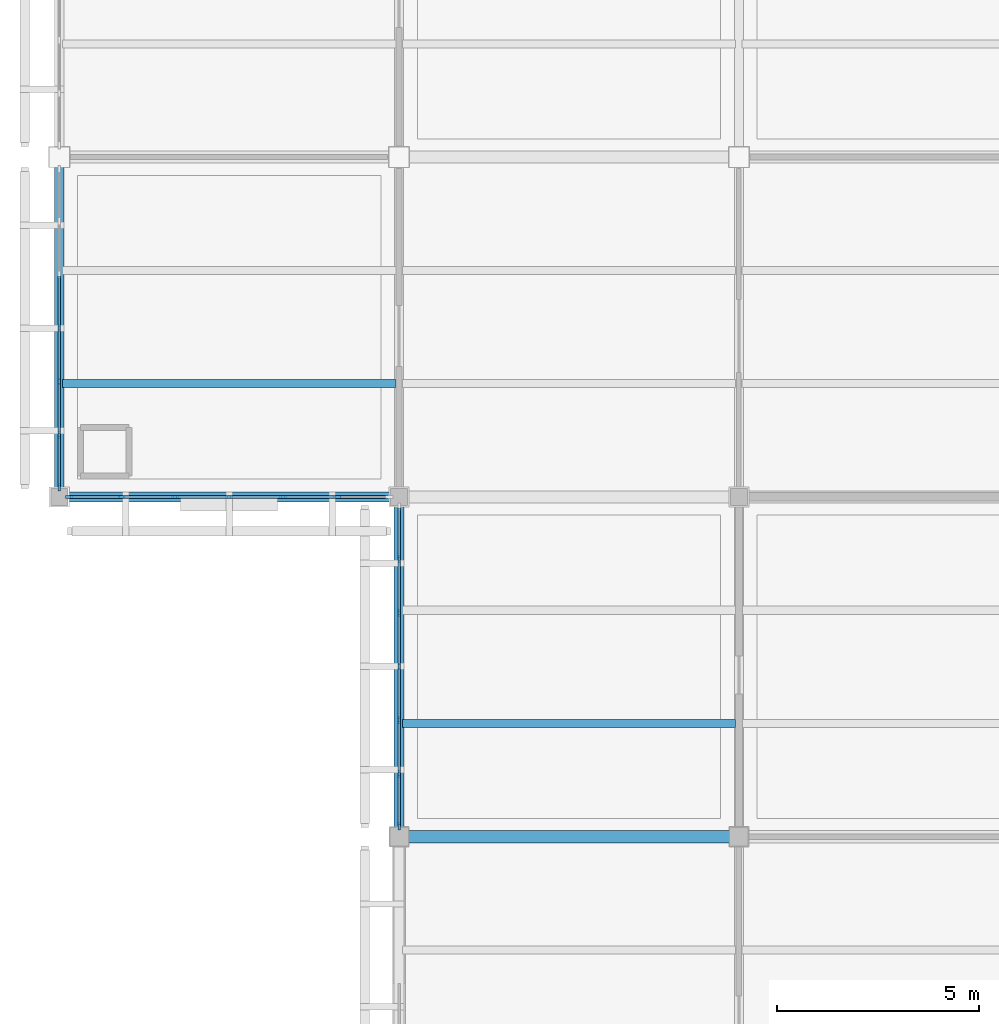
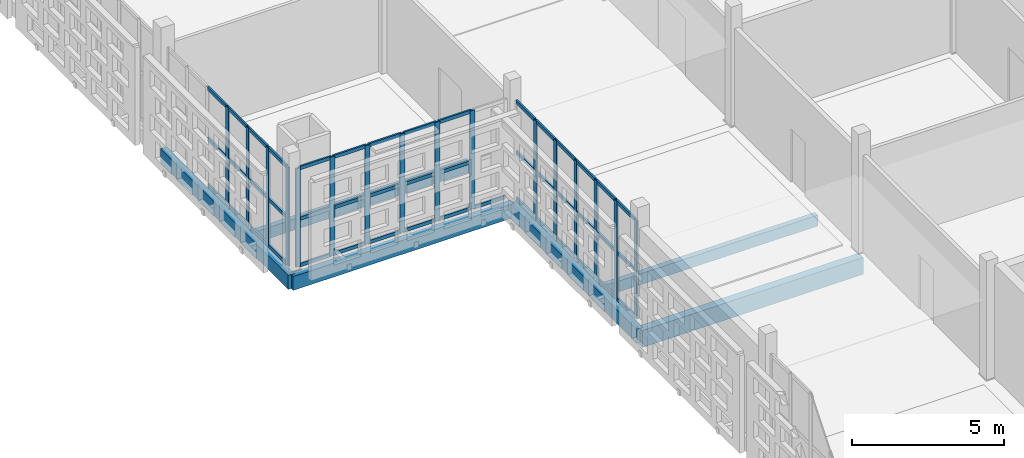
# One storey, part 22 of 203: 62 members, 6 beams, 3 elements without a shape of their own.
"""IFC4 building model written with IfcOpenShell, lengths in metres."""

from ifc_helpers import new_model, si_unit, direction, frame, origin, origin_2d, place, context, subcontext, project, spatial, rectangle, extrude, material, layer, layer_set, material_profile, profile_set, type_object, element, aggregate, save


model = new_model("IFC4")

# Units and contexts
model_context = context("Model", 3, precision=1e-05, world=origin(), true_north=direction((0.0, 1.0)))
body_context = subcontext(model_context, "Body", "Model", "MODEL_VIEW")
ifc_project = project(units=[si_unit("LENGTHUNIT", "METRE"), si_unit("AREAUNIT", "SQUARE_METRE"), si_unit("VOLUMEUNIT", "CUBIC_METRE"), si_unit("PLANEANGLEUNIT", "RADIAN"), si_unit("MASSUNIT", "GRAM", prefix="KILO")], contexts=[model_context])

# Site, building, storey
site_placement = place(None, origin())
site = spatial("IfcSite", under=ifc_project, at=site_placement, CompositionType="ELEMENT")
building_placement = place(site_placement, origin())
building = spatial("IfcBuilding", under=site, at=building_placement, Name="Varnapada Polytechnic", CompositionType="ELEMENT")
storey_placement = place(building_placement, frame((0.0, 0.0, 4.800048828125)))
storey = spatial("IfcBuildingStorey", under=building, at=storey_placement, Name="L01", CompositionType="ELEMENT", Elevation=4.800048828125)

# Beams
ifc_material_1 = material(Name="Glulam GL32h", Category="wood")
ifc_material_profile_1 = material_profile(ifc_material_1, rectangle(XDim=0.199951171875, YDim=0.43994140625, at=origin_2d()), Name="GL 200x440")
ifc_profile_set_1 = profile_set([ifc_material_profile_1], Name="Glulam GL32h")
beam_type_1 = type_object("IfcBeamType", Name="Heavy laboratory glulam joist GJ-03 (GL 200x440)", PredefinedType="JOIST", material=ifc_profile_set_1)
for number, where, z_axis, x_axis, name in (
    (1, (0.080078125, 44.800048828125, -0.469970703125), (1.0, 0.0, 0.0), (0.0, 1.0, 0.0), "L01 floor joist 1/6.1"),
    (2, (8.47998046875, 36.39990234375, -0.47998046875), (1.0, 0.0, 0.0), (0.0, 1.0, 0.0), "L01 floor joist 2/5.1"),
):
    element("IfcBeam", number, at=place(storey_placement, frame(where, z_axis=z_axis, x_axis=x_axis)), inside=storey, type_object=beam_type_1, Name=name, PredefinedType="JOIST", context=body_context, shape_type="SweptSolid", body=[
        extrude(rectangle(XDim=0.199951171875, YDim=0.43994140625, at=origin_2d()), origin(), (0.0, 0.0, 1.0), 8.239990234375),
    ])

# Curtain wall, members
ifc_material_2 = material(Name="Double low-E laminated glass", Category="glass")
ifc_layer = layer(ifc_material_2, 0.179931640625)
ifc_layer_set = layer_set([ifc_layer], Name="Double low-E laminated glass")
curtain_wall_type = type_object("IfcCurtainWallType", Name="Curtain Wall CW-03", PredefinedType="NOTDEFINED", material=ifc_layer_set)
curtain_wall_1_placement = place(storey_placement, origin())
curtain_wall_1 = element("IfcCurtainWall", 3, at=curtain_wall_1_placement, inside=storey, type_object=curtain_wall_type, Name="L01 unitised curtain wall CW-03 (19)", PredefinedType="NOTDEFINED")
ifc_material_3 = material(Name="Anodised aluminium", Category="aluminium")
ifc_material_profile_2 = material_profile(ifc_material_3, rectangle(XDim=0.06494140625, YDim=0.179931640625, at=origin_2d()), Name="ALU M65x180")
ifc_profile_set_2 = profile_set([ifc_material_profile_2], Name="Anodised aluminium")
member_type_1 = type_object("IfcMemberType", Name="Mullion M-02", PredefinedType="MULLION", material=ifc_profile_set_2)
member_1_placement = place(storey_placement, frame((6.860107421875, 42.0, 0.0), z_axis=(0.0, 0.0, 1.0), x_axis=(0.0, -1.0, 0.0)))
member_1 = element("IfcMember", 4, at=member_1_placement, type_object=member_type_1, Name="CW-03 mullion 2", PredefinedType="MULLION", context=body_context, shape_type="SweptSolid", body=[
    extrude(rectangle(XDim=0.06494140625, YDim=0.179931640625, at=origin_2d()), origin(), (0.0, 0.0, 1.0), 3.9599609375),
])
member_2_placement = place(storey_placement, frame((5.530029296875, 42.0, 0.0), z_axis=(0.0, 0.0, 1.0), x_axis=(0.0, -1.0, 0.0)))
member_2 = element("IfcMember", 5, at=member_2_placement, type_object=member_type_1, Name="CW-03 mullion 3", PredefinedType="MULLION", context=body_context, shape_type="SweptSolid", body=[
    extrude(rectangle(XDim=0.06494140625, YDim=0.179931640625, at=origin_2d()), origin(), (0.0, 0.0, 1.0), 3.9599609375),
])
member_3_placement = place(storey_placement, frame((4.199951171875, 42.0, 0.0), z_axis=(0.0, 0.0, 1.0), x_axis=(0.0, -1.0, 0.0)))
member_3 = element("IfcMember", 6, at=member_3_placement, type_object=member_type_1, Name="CW-03 mullion 4", PredefinedType="MULLION", context=body_context, shape_type="SweptSolid", body=[
    extrude(rectangle(XDim=0.06494140625, YDim=0.179931640625, at=origin_2d()), origin(), (0.0, 0.0, 1.0), 3.9599609375),
])
member_4_placement = place(storey_placement, frame((2.8701171875, 42.0, 0.0), z_axis=(0.0, 0.0, 1.0), x_axis=(0.0, -1.0, 0.0)))
member_4 = element("IfcMember", 7, at=member_4_placement, type_object=member_type_1, Name="CW-03 mullion 5", PredefinedType="MULLION", context=body_context, shape_type="SweptSolid", body=[
    extrude(rectangle(XDim=0.06494140625, YDim=0.179931640625, at=origin_2d()), origin(), (0.0, 0.0, 1.0), 3.9599609375),
])
member_5_placement = place(storey_placement, frame((1.5400390625, 42.0, 0.0), z_axis=(0.0, 0.0, 1.0), x_axis=(0.0, -1.0, 0.0)))
member_5 = element("IfcMember", 8, at=member_5_placement, type_object=member_type_1, Name="CW-03 mullion 6", PredefinedType="MULLION", context=body_context, shape_type="SweptSolid", body=[
    extrude(rectangle(XDim=0.06494140625, YDim=0.179931640625, at=origin_2d()), origin(), (0.0, 0.0, 1.0), 3.9599609375),
])
member_6_placement = place(storey_placement, frame((0.242431640625, 42.0, 0.0), z_axis=(0.0, 0.0, 1.0), x_axis=(0.0, -1.0, 0.0)))
member_6 = element("IfcMember", 9, at=member_6_placement, type_object=member_type_1, Name="CW-03 mullion 7", PredefinedType="MULLION", context=body_context, shape_type="SweptSolid", body=[
    extrude(rectangle(XDim=0.06494140625, YDim=0.179931640625, at=origin_2d()), origin(), (0.0, 0.0, 1.0), 3.9599609375),
])

curtain_wall_2_placement = place(storey_placement, origin())
curtain_wall_2 = element("IfcCurtainWall", 10, at=curtain_wall_2_placement, inside=storey, type_object=curtain_wall_type, Name="L01 unitised curtain wall CW-03 (20)", PredefinedType="NOTDEFINED")
member_7_placement = place(storey_placement, frame((0.0, 42.242431640625, 0.0), z_axis=(0.0, 0.0, 1.0), x_axis=(-1.0, 0.0, 0.0)))
member_7 = element("IfcMember", 11, at=member_7_placement, type_object=member_type_1, Name="CW-03 mullion 1", PredefinedType="MULLION", context=body_context, shape_type="SweptSolid", body=[
    extrude(rectangle(XDim=0.06494140625, YDim=0.179931640625, at=origin_2d()), origin(), (0.0, 0.0, 1.0), 3.9599609375),
])
member_8_placement = place(storey_placement, frame((0.0, 43.53173828125, 0.0), z_axis=(0.0, 0.0, 1.0), x_axis=(-1.0, 0.0, 0.0)))
member_8 = element("IfcMember", 12, at=member_8_placement, type_object=member_type_1, Name="CW-03 mullion 2", PredefinedType="MULLION", context=body_context, shape_type="SweptSolid", body=[
    extrude(rectangle(XDim=0.06494140625, YDim=0.179931640625, at=origin_2d()), origin(), (0.0, 0.0, 1.0), 3.9599609375),
])
member_9_placement = place(storey_placement, frame((0.0, 44.853271484375, 0.0), z_axis=(0.0, 0.0, 1.0), x_axis=(-1.0, 0.0, 0.0)))
member_9 = element("IfcMember", 13, at=member_9_placement, type_object=member_type_1, Name="CW-03 mullion 3", PredefinedType="MULLION", context=body_context, shape_type="SweptSolid", body=[
    extrude(rectangle(XDim=0.06494140625, YDim=0.179931640625, at=origin_2d()), origin(), (0.0, 0.0, 1.0), 3.9599609375),
])
member_10_placement = place(storey_placement, frame((0.0, 46.175048828125, 0.0), z_axis=(0.0, 0.0, 1.0), x_axis=(-1.0, 0.0, 0.0)))
member_10 = element("IfcMember", 14, at=member_10_placement, type_object=member_type_1, Name="CW-03 mullion 4", PredefinedType="MULLION", context=body_context, shape_type="SweptSolid", body=[
    extrude(rectangle(XDim=0.06494140625, YDim=0.179931640625, at=origin_2d()), origin(), (0.0, 0.0, 1.0), 3.9599609375),
])

curtain_wall_3_placement = place(storey_placement, origin())
curtain_wall_3 = element("IfcCurtainWall", 15, at=curtain_wall_3_placement, inside=storey, type_object=curtain_wall_type, Name="L01 unitised curtain wall CW-03 (29)", PredefinedType="NOTDEFINED")
member_11_placement = place(storey_placement, frame((8.39990234375, 33.862548828125, 0.0), z_axis=(0.0, 0.0, 1.0), x_axis=(-1.0, 0.0, 0.0)))
member_11 = element("IfcMember", 16, at=member_11_placement, type_object=member_type_1, Name="CW-03 mullion 1", PredefinedType="MULLION", context=body_context, shape_type="SweptSolid", body=[
    extrude(rectangle(XDim=0.06494140625, YDim=0.179931640625, at=origin_2d()), origin(), (0.0, 0.0, 1.0), 3.9599609375),
])
member_12_placement = place(storey_placement, frame((8.39990234375, 35.15673828125, 0.0), z_axis=(0.0, 0.0, 1.0), x_axis=(-1.0, 0.0, 0.0)))
member_12 = element("IfcMember", 17, at=member_12_placement, type_object=member_type_1, Name="CW-03 mullion 2", PredefinedType="MULLION", context=body_context, shape_type="SweptSolid", body=[
    extrude(rectangle(XDim=0.06494140625, YDim=0.179931640625, at=origin_2d()), origin(), (0.0, 0.0, 1.0), 3.9599609375),
])
member_13_placement = place(storey_placement, frame((8.39990234375, 36.4833984375, 0.0), z_axis=(0.0, 0.0, 1.0), x_axis=(-1.0, 0.0, 0.0)))
member_13 = element("IfcMember", 18, at=member_13_placement, type_object=member_type_1, Name="CW-03 mullion 3", PredefinedType="MULLION", context=body_context, shape_type="SweptSolid", body=[
    extrude(rectangle(XDim=0.06494140625, YDim=0.179931640625, at=origin_2d()), origin(), (0.0, 0.0, 1.0), 3.9599609375),
])
member_14_placement = place(storey_placement, frame((8.39990234375, 37.81005859375, 0.0), z_axis=(0.0, 0.0, 1.0), x_axis=(-1.0, 0.0, 0.0)))
member_14 = element("IfcMember", 19, at=member_14_placement, type_object=member_type_1, Name="CW-03 mullion 4", PredefinedType="MULLION", context=body_context, shape_type="SweptSolid", body=[
    extrude(rectangle(XDim=0.06494140625, YDim=0.179931640625, at=origin_2d()), origin(), (0.0, 0.0, 1.0), 3.9599609375),
])
member_15_placement = place(storey_placement, frame((8.39990234375, 39.13671875, 0.0), z_axis=(0.0, 0.0, 1.0), x_axis=(-1.0, 0.0, 0.0)))
member_15 = element("IfcMember", 20, at=member_15_placement, type_object=member_type_1, Name="CW-03 mullion 5", PredefinedType="MULLION", context=body_context, shape_type="SweptSolid", body=[
    extrude(rectangle(XDim=0.06494140625, YDim=0.179931640625, at=origin_2d()), origin(), (0.0, 0.0, 1.0), 3.9599609375),
])
member_16_placement = place(storey_placement, frame((8.39990234375, 40.46337890625, 0.0), z_axis=(0.0, 0.0, 1.0), x_axis=(-1.0, 0.0, 0.0)))
member_16 = element("IfcMember", 21, at=member_16_placement, type_object=member_type_1, Name="CW-03 mullion 6", PredefinedType="MULLION", context=body_context, shape_type="SweptSolid", body=[
    extrude(rectangle(XDim=0.06494140625, YDim=0.179931640625, at=origin_2d()), origin(), (0.0, 0.0, 1.0), 3.9599609375),
])

# Beams
ifc_material_profile_3 = material_profile(ifc_material_1, rectangle(XDim=0.239990234375, YDim=0.56005859375, at=origin_2d()), Name="GL 240x560")
ifc_profile_set_3 = profile_set([ifc_material_profile_3], Name="Glulam GL32h")
beam_type_2 = type_object("IfcBeamType", Name="Perimeter glulam spandrel beam SP-02 (GL 240x560)", PredefinedType="SPANDREL", material=ifc_profile_set_3)
for number, where, z_axis, x_axis, name in (
    (22, (0.0, 42.0, -0.5400390625), (1.0, 0.0, 0.0), (0.0, 1.0, 0.0), "L01 beam X 1-2 at Y6"),
    (23, (0.0, 42.0, -0.530029296875), (0.0, 1.0, 0.0), (-1.0, 0.0, 0.0), "L01 beam Y 6-7 at X1"),
    (24, (8.39990234375, 33.60009765625, -0.5400390625), (0.0, 1.0, 0.0), (-1.0, 0.0, 0.0), "L01 beam Y 5-6 at X2"),
):
    element("IfcBeam", number, at=place(storey_placement, frame(where, z_axis=z_axis, x_axis=x_axis)), inside=storey, type_object=beam_type_2, Name=name, PredefinedType="SPANDREL", context=body_context, shape_type="SweptSolid", body=[
        extrude(rectangle(XDim=0.239990234375, YDim=0.56005859375, at=origin_2d()), origin(), (0.0, 0.0, 1.0), 8.39990234375),
    ])

# Member
ifc_material_profile_4 = material_profile(ifc_material_3, rectangle(XDim=0.06494140625, YDim=0.139892578125, at=origin_2d()), Name="ALU T65x140")
ifc_profile_set_4 = profile_set([ifc_material_profile_4], Name="Anodised aluminium")
member_type_2 = type_object("IfcMemberType", Name="Transom T-02", PredefinedType="USERDEFINED", material=ifc_profile_set_4)
member_17_placement = place(storey_placement, frame((8.125, 42.0, 0.032470703125), z_axis=(-1.0, 0.0, 0.0), x_axis=(0.0, -1.0, 0.0)))
member_17 = element("IfcMember", 25, at=member_17_placement, type_object=member_type_2, Name="CW-03 transom 1.1", ObjectType="TRANSOM", PredefinedType="USERDEFINED", context=body_context, shape_type="SweptSolid", body=[
    extrude(rectangle(XDim=0.06494140625, YDim=0.139892578125, at=origin_2d()), origin(), (0.0, 0.0, 1.0), 1.232421875),
])

member_18_placement = place(storey_placement, frame((6.827392578125, 42.0, 0.032470703125), z_axis=(-1.0, 0.0, 0.0), x_axis=(0.0, -1.0, 0.0)))
member_18 = element("IfcMember", 26, at=member_18_placement, type_object=member_type_2, Name="CW-03 transom 2.1", ObjectType="TRANSOM", PredefinedType="USERDEFINED", context=body_context, shape_type="SweptSolid", body=[
    extrude(rectangle(XDim=0.06494140625, YDim=0.139892578125, at=origin_2d()), origin(), (0.0, 0.0, 1.0), 1.264892578125),
])

member_19_placement = place(storey_placement, frame((6.827392578125, 42.0, 1.900634765625), z_axis=(-1.0, 0.0, 0.0), x_axis=(0.0, -1.0, 0.0)))
member_19 = element("IfcMember", 27, at=member_19_placement, type_object=member_type_2, Name="CW-03 transom 2.2", ObjectType="TRANSOM", PredefinedType="USERDEFINED", context=body_context, shape_type="SweptSolid", body=[
    extrude(rectangle(XDim=0.06494140625, YDim=0.139892578125, at=origin_2d()), origin(), (0.0, 0.0, 1.0), 1.264892578125),
])

member_20_placement = place(storey_placement, frame((6.827392578125, 42.0, 3.927490234375), z_axis=(-1.0, 0.0, 0.0), x_axis=(0.0, -1.0, 0.0)))
member_20 = element("IfcMember", 28, at=member_20_placement, type_object=member_type_2, Name="CW-03 transom 2.3", ObjectType="TRANSOM", PredefinedType="USERDEFINED", context=body_context, shape_type="SweptSolid", body=[
    extrude(rectangle(XDim=0.06494140625, YDim=0.139892578125, at=origin_2d()), origin(), (0.0, 0.0, 1.0), 1.264892578125),
])

member_21_placement = place(storey_placement, frame((5.49755859375, 42.0, 0.032470703125), z_axis=(-1.0, 0.0, 0.0), x_axis=(0.0, -1.0, 0.0)))
member_21 = element("IfcMember", 29, at=member_21_placement, type_object=member_type_2, Name="CW-03 transom 3.1", ObjectType="TRANSOM", PredefinedType="USERDEFINED", context=body_context, shape_type="SweptSolid", body=[
    extrude(rectangle(XDim=0.06494140625, YDim=0.139892578125, at=origin_2d()), origin(), (0.0, 0.0, 1.0), 1.26513671875),
])

member_22_placement = place(storey_placement, frame((5.49755859375, 42.0, 1.900634765625), z_axis=(-1.0, 0.0, 0.0), x_axis=(0.0, -1.0, 0.0)))
member_22 = element("IfcMember", 30, at=member_22_placement, type_object=member_type_2, Name="CW-03 transom 3.2", ObjectType="TRANSOM", PredefinedType="USERDEFINED", context=body_context, shape_type="SweptSolid", body=[
    extrude(rectangle(XDim=0.06494140625, YDim=0.139892578125, at=origin_2d()), origin(), (0.0, 0.0, 1.0), 1.26513671875),
])

member_23_placement = place(storey_placement, frame((5.49755859375, 42.0, 3.927490234375), z_axis=(-1.0, 0.0, 0.0), x_axis=(0.0, -1.0, 0.0)))
member_23 = element("IfcMember", 31, at=member_23_placement, type_object=member_type_2, Name="CW-03 transom 3.3", ObjectType="TRANSOM", PredefinedType="USERDEFINED", context=body_context, shape_type="SweptSolid", body=[
    extrude(rectangle(XDim=0.06494140625, YDim=0.139892578125, at=origin_2d()), origin(), (0.0, 0.0, 1.0), 1.26513671875),
])

member_24_placement = place(storey_placement, frame((4.16748046875, 42.0, 0.032470703125), z_axis=(-1.0, 0.0, 0.0), x_axis=(0.0, -1.0, 0.0)))
member_24 = element("IfcMember", 32, at=member_24_placement, type_object=member_type_2, Name="CW-03 transom 4.1", ObjectType="TRANSOM", PredefinedType="USERDEFINED", context=body_context, shape_type="SweptSolid", body=[
    extrude(rectangle(XDim=0.06494140625, YDim=0.139892578125, at=origin_2d()), origin(), (0.0, 0.0, 1.0), 1.264892578125),
])

member_25_placement = place(storey_placement, frame((4.16748046875, 42.0, 1.900634765625), z_axis=(-1.0, 0.0, 0.0), x_axis=(0.0, -1.0, 0.0)))
member_25 = element("IfcMember", 33, at=member_25_placement, type_object=member_type_2, Name="CW-03 transom 4.2", ObjectType="TRANSOM", PredefinedType="USERDEFINED", context=body_context, shape_type="SweptSolid", body=[
    extrude(rectangle(XDim=0.06494140625, YDim=0.139892578125, at=origin_2d()), origin(), (0.0, 0.0, 1.0), 1.264892578125),
])

member_26_placement = place(storey_placement, frame((4.16748046875, 42.0, 3.927490234375), z_axis=(-1.0, 0.0, 0.0), x_axis=(0.0, -1.0, 0.0)))
member_26 = element("IfcMember", 34, at=member_26_placement, type_object=member_type_2, Name="CW-03 transom 4.3", ObjectType="TRANSOM", PredefinedType="USERDEFINED", context=body_context, shape_type="SweptSolid", body=[
    extrude(rectangle(XDim=0.06494140625, YDim=0.139892578125, at=origin_2d()), origin(), (0.0, 0.0, 1.0), 1.264892578125),
])

member_27_placement = place(storey_placement, frame((2.83740234375, 42.0, 0.032470703125), z_axis=(-1.0, 0.0, 0.0), x_axis=(0.0, -1.0, 0.0)))
member_27 = element("IfcMember", 35, at=member_27_placement, type_object=member_type_2, Name="CW-03 transom 5.1", ObjectType="TRANSOM", PredefinedType="USERDEFINED", context=body_context, shape_type="SweptSolid", body=[
    extrude(rectangle(XDim=0.06494140625, YDim=0.139892578125, at=origin_2d()), origin(), (0.0, 0.0, 1.0), 1.264892578125),
])

member_28_placement = place(storey_placement, frame((2.83740234375, 42.0, 1.900634765625), z_axis=(-1.0, 0.0, 0.0), x_axis=(0.0, -1.0, 0.0)))
member_28 = element("IfcMember", 36, at=member_28_placement, type_object=member_type_2, Name="CW-03 transom 5.2", ObjectType="TRANSOM", PredefinedType="USERDEFINED", context=body_context, shape_type="SweptSolid", body=[
    extrude(rectangle(XDim=0.06494140625, YDim=0.139892578125, at=origin_2d()), origin(), (0.0, 0.0, 1.0), 1.264892578125),
])

member_29_placement = place(storey_placement, frame((2.83740234375, 42.0, 3.927490234375), z_axis=(-1.0, 0.0, 0.0), x_axis=(0.0, -1.0, 0.0)))
member_29 = element("IfcMember", 37, at=member_29_placement, type_object=member_type_2, Name="CW-03 transom 5.3", ObjectType="TRANSOM", PredefinedType="USERDEFINED", context=body_context, shape_type="SweptSolid", body=[
    extrude(rectangle(XDim=0.06494140625, YDim=0.139892578125, at=origin_2d()), origin(), (0.0, 0.0, 1.0), 1.264892578125),
])

member_30_placement = place(storey_placement, frame((1.507568359375, 42.0, 0.032470703125), z_axis=(-1.0, 0.0, 0.0), x_axis=(0.0, -1.0, 0.0)))
member_30 = element("IfcMember", 38, at=member_30_placement, type_object=member_type_2, Name="CW-03 transom 6.1", ObjectType="TRANSOM", PredefinedType="USERDEFINED", context=body_context, shape_type="SweptSolid", body=[
    extrude(rectangle(XDim=0.06494140625, YDim=0.139892578125, at=origin_2d()), origin(), (0.0, 0.0, 1.0), 1.232666015625),
])

member_31_placement = place(storey_placement, frame((1.507568359375, 42.0, 1.900634765625), z_axis=(-1.0, 0.0, 0.0), x_axis=(0.0, -1.0, 0.0)))
member_31 = element("IfcMember", 39, at=member_31_placement, type_object=member_type_2, Name="CW-03 transom 6.2", ObjectType="TRANSOM", PredefinedType="USERDEFINED", context=body_context, shape_type="SweptSolid", body=[
    extrude(rectangle(XDim=0.06494140625, YDim=0.139892578125, at=origin_2d()), origin(), (0.0, 0.0, 1.0), 1.232666015625),
])

member_32_placement = place(storey_placement, frame((1.507568359375, 42.0, 3.927490234375), z_axis=(-1.0, 0.0, 0.0), x_axis=(0.0, -1.0, 0.0)))
member_32 = element("IfcMember", 40, at=member_32_placement, type_object=member_type_2, Name="CW-03 transom 6.3", ObjectType="TRANSOM", PredefinedType="USERDEFINED", context=body_context, shape_type="SweptSolid", body=[
    extrude(rectangle(XDim=0.06494140625, YDim=0.139892578125, at=origin_2d()), origin(), (0.0, 0.0, 1.0), 1.232666015625),
])

aggregate(curtain_wall_1, [member_1, member_2, member_3, member_4, member_5, member_6, member_17, member_18, member_19, member_20, member_21, member_22, member_23, member_24, member_25, member_26, member_27, member_28, member_29, member_30, member_31, member_32])

member_33_placement = place(storey_placement, frame((0.0, 42.27490234375, 0.032470703125), z_axis=(0.0, 1.0, 0.0), x_axis=(-1.0, 0.0, 0.0)))
member_33 = element("IfcMember", 41, at=member_33_placement, type_object=member_type_2, Name="CW-03 transom 1.1", ObjectType="TRANSOM", PredefinedType="USERDEFINED", context=body_context, shape_type="SweptSolid", body=[
    extrude(rectangle(XDim=0.06494140625, YDim=0.139892578125, at=origin_2d()), origin(), (0.0, 0.0, 1.0), 1.224365234375),
])

member_34_placement = place(storey_placement, frame((0.0, 42.27490234375, 1.900634765625), z_axis=(0.0, 1.0, 0.0), x_axis=(-1.0, 0.0, 0.0)))
member_34 = element("IfcMember", 42, at=member_34_placement, type_object=member_type_2, Name="CW-03 transom 1.2", ObjectType="TRANSOM", PredefinedType="USERDEFINED", context=body_context, shape_type="SweptSolid", body=[
    extrude(rectangle(XDim=0.06494140625, YDim=0.139892578125, at=origin_2d()), origin(), (0.0, 0.0, 1.0), 1.224365234375),
])

member_35_placement = place(storey_placement, frame((0.0, 42.27490234375, 3.927490234375), z_axis=(0.0, 1.0, 0.0), x_axis=(-1.0, 0.0, 0.0)))
member_35 = element("IfcMember", 43, at=member_35_placement, type_object=member_type_2, Name="CW-03 transom 1.3", ObjectType="TRANSOM", PredefinedType="USERDEFINED", context=body_context, shape_type="SweptSolid", body=[
    extrude(rectangle(XDim=0.06494140625, YDim=0.139892578125, at=origin_2d()), origin(), (0.0, 0.0, 1.0), 1.224365234375),
])

member_36_placement = place(storey_placement, frame((0.0, 43.564208984375, 0.032470703125), z_axis=(0.0, 1.0, 0.0), x_axis=(-1.0, 0.0, 0.0)))
member_36 = element("IfcMember", 44, at=member_36_placement, type_object=member_type_2, Name="CW-03 transom 2.1", ObjectType="TRANSOM", PredefinedType="USERDEFINED", context=body_context, shape_type="SweptSolid", body=[
    extrude(rectangle(XDim=0.06494140625, YDim=0.139892578125, at=origin_2d()), origin(), (0.0, 0.0, 1.0), 1.256591796875),
])

member_37_placement = place(storey_placement, frame((0.0, 43.564208984375, 1.900634765625), z_axis=(0.0, 1.0, 0.0), x_axis=(-1.0, 0.0, 0.0)))
member_37 = element("IfcMember", 45, at=member_37_placement, type_object=member_type_2, Name="CW-03 transom 2.2", ObjectType="TRANSOM", PredefinedType="USERDEFINED", context=body_context, shape_type="SweptSolid", body=[
    extrude(rectangle(XDim=0.06494140625, YDim=0.139892578125, at=origin_2d()), origin(), (0.0, 0.0, 1.0), 1.256591796875),
])

member_38_placement = place(storey_placement, frame((0.0, 43.564208984375, 3.927490234375), z_axis=(0.0, 1.0, 0.0), x_axis=(-1.0, 0.0, 0.0)))
member_38 = element("IfcMember", 46, at=member_38_placement, type_object=member_type_2, Name="CW-03 transom 2.3", ObjectType="TRANSOM", PredefinedType="USERDEFINED", context=body_context, shape_type="SweptSolid", body=[
    extrude(rectangle(XDim=0.06494140625, YDim=0.139892578125, at=origin_2d()), origin(), (0.0, 0.0, 1.0), 1.256591796875),
])

member_39_placement = place(storey_placement, frame((0.0, 44.8857421875, 0.032470703125), z_axis=(0.0, 1.0, 0.0), x_axis=(-1.0, 0.0, 0.0)))
member_39 = element("IfcMember", 47, at=member_39_placement, type_object=member_type_2, Name="CW-03 transom 3.1", ObjectType="TRANSOM", PredefinedType="USERDEFINED", context=body_context, shape_type="SweptSolid", body=[
    extrude(rectangle(XDim=0.06494140625, YDim=0.139892578125, at=origin_2d()), origin(), (0.0, 0.0, 1.0), 1.2568359375),
])

member_40_placement = place(storey_placement, frame((0.0, 44.8857421875, 1.900634765625), z_axis=(0.0, 1.0, 0.0), x_axis=(-1.0, 0.0, 0.0)))
member_40 = element("IfcMember", 48, at=member_40_placement, type_object=member_type_2, Name="CW-03 transom 3.2", ObjectType="TRANSOM", PredefinedType="USERDEFINED", context=body_context, shape_type="SweptSolid", body=[
    extrude(rectangle(XDim=0.06494140625, YDim=0.139892578125, at=origin_2d()), origin(), (0.0, 0.0, 1.0), 1.2568359375),
])

member_41_placement = place(storey_placement, frame((0.0, 44.8857421875, 3.927490234375), z_axis=(0.0, 1.0, 0.0), x_axis=(-1.0, 0.0, 0.0)))
member_41 = element("IfcMember", 49, at=member_41_placement, type_object=member_type_2, Name="CW-03 transom 3.3", ObjectType="TRANSOM", PredefinedType="USERDEFINED", context=body_context, shape_type="SweptSolid", body=[
    extrude(rectangle(XDim=0.06494140625, YDim=0.139892578125, at=origin_2d()), origin(), (0.0, 0.0, 1.0), 1.2568359375),
])

member_42_placement = place(storey_placement, frame((0.0, 46.20751953125, 0.032470703125), z_axis=(0.0, 1.0, 0.0), x_axis=(-1.0, 0.0, 0.0)))
member_42 = element("IfcMember", 50, at=member_42_placement, type_object=member_type_2, Name="CW-03 transom 4.1", ObjectType="TRANSOM", PredefinedType="USERDEFINED", context=body_context, shape_type="SweptSolid", body=[
    extrude(rectangle(XDim=0.06494140625, YDim=0.139892578125, at=origin_2d()), origin(), (0.0, 0.0, 1.0), 1.256591796875),
])

member_43_placement = place(storey_placement, frame((0.0, 46.20751953125, 1.900634765625), z_axis=(0.0, 1.0, 0.0), x_axis=(-1.0, 0.0, 0.0)))
member_43 = element("IfcMember", 51, at=member_43_placement, type_object=member_type_2, Name="CW-03 transom 4.2", ObjectType="TRANSOM", PredefinedType="USERDEFINED", context=body_context, shape_type="SweptSolid", body=[
    extrude(rectangle(XDim=0.06494140625, YDim=0.139892578125, at=origin_2d()), origin(), (0.0, 0.0, 1.0), 1.256591796875),
])

member_44_placement = place(storey_placement, frame((0.0, 46.20751953125, 3.927490234375), z_axis=(0.0, 1.0, 0.0), x_axis=(-1.0, 0.0, 0.0)))
member_44 = element("IfcMember", 52, at=member_44_placement, type_object=member_type_2, Name="CW-03 transom 4.3", ObjectType="TRANSOM", PredefinedType="USERDEFINED", context=body_context, shape_type="SweptSolid", body=[
    extrude(rectangle(XDim=0.06494140625, YDim=0.139892578125, at=origin_2d()), origin(), (0.0, 0.0, 1.0), 1.256591796875),
])

aggregate(curtain_wall_2, [member_7, member_8, member_9, member_10, member_33, member_34, member_35, member_36, member_37, member_38, member_39, member_40, member_41, member_42, member_43, member_44])

member_45_placement = place(storey_placement, frame((8.39990234375, 33.89501953125, 0.032470703125), z_axis=(0.0, 1.0, 0.0), x_axis=(-1.0, 0.0, 0.0)))
member_45 = element("IfcMember", 53, at=member_45_placement, type_object=member_type_2, Name="CW-03 transom 1.1", ObjectType="TRANSOM", PredefinedType="USERDEFINED", context=body_context, shape_type="SweptSolid", body=[
    extrude(rectangle(XDim=0.06494140625, YDim=0.139892578125, at=origin_2d()), origin(), (0.0, 0.0, 1.0), 1.229248046875),
])

member_46_placement = place(storey_placement, frame((8.39990234375, 33.89501953125, 1.900634765625), z_axis=(0.0, 1.0, 0.0), x_axis=(-1.0, 0.0, 0.0)))
member_46 = element("IfcMember", 54, at=member_46_placement, type_object=member_type_2, Name="CW-03 transom 1.2", ObjectType="TRANSOM", PredefinedType="USERDEFINED", context=body_context, shape_type="SweptSolid", body=[
    extrude(rectangle(XDim=0.06494140625, YDim=0.139892578125, at=origin_2d()), origin(), (0.0, 0.0, 1.0), 1.229248046875),
])

member_47_placement = place(storey_placement, frame((8.39990234375, 33.89501953125, 3.927490234375), z_axis=(0.0, 1.0, 0.0), x_axis=(-1.0, 0.0, 0.0)))
member_47 = element("IfcMember", 55, at=member_47_placement, type_object=member_type_2, Name="CW-03 transom 1.3", ObjectType="TRANSOM", PredefinedType="USERDEFINED", context=body_context, shape_type="SweptSolid", body=[
    extrude(rectangle(XDim=0.06494140625, YDim=0.139892578125, at=origin_2d()), origin(), (0.0, 0.0, 1.0), 1.229248046875),
])

member_48_placement = place(storey_placement, frame((8.39990234375, 35.189208984375, 0.032470703125), z_axis=(0.0, 1.0, 0.0), x_axis=(-1.0, 0.0, 0.0)))
member_48 = element("IfcMember", 56, at=member_48_placement, type_object=member_type_2, Name="CW-03 transom 2.1", ObjectType="TRANSOM", PredefinedType="USERDEFINED", context=body_context, shape_type="SweptSolid", body=[
    extrude(rectangle(XDim=0.06494140625, YDim=0.139892578125, at=origin_2d()), origin(), (0.0, 0.0, 1.0), 1.26171875),
])

member_49_placement = place(storey_placement, frame((8.39990234375, 35.189208984375, 1.900634765625), z_axis=(0.0, 1.0, 0.0), x_axis=(-1.0, 0.0, 0.0)))
member_49 = element("IfcMember", 57, at=member_49_placement, type_object=member_type_2, Name="CW-03 transom 2.2", ObjectType="TRANSOM", PredefinedType="USERDEFINED", context=body_context, shape_type="SweptSolid", body=[
    extrude(rectangle(XDim=0.06494140625, YDim=0.139892578125, at=origin_2d()), origin(), (0.0, 0.0, 1.0), 1.26171875),
])

member_50_placement = place(storey_placement, frame((8.39990234375, 35.189208984375, 3.927490234375), z_axis=(0.0, 1.0, 0.0), x_axis=(-1.0, 0.0, 0.0)))
member_50 = element("IfcMember", 58, at=member_50_placement, type_object=member_type_2, Name="CW-03 transom 2.3", ObjectType="TRANSOM", PredefinedType="USERDEFINED", context=body_context, shape_type="SweptSolid", body=[
    extrude(rectangle(XDim=0.06494140625, YDim=0.139892578125, at=origin_2d()), origin(), (0.0, 0.0, 1.0), 1.26171875),
])

member_51_placement = place(storey_placement, frame((8.39990234375, 36.515869140625, 0.032470703125), z_axis=(0.0, 1.0, 0.0), x_axis=(-1.0, 0.0, 0.0)))
member_51 = element("IfcMember", 59, at=member_51_placement, type_object=member_type_2, Name="CW-03 transom 3.1", ObjectType="TRANSOM", PredefinedType="USERDEFINED", context=body_context, shape_type="SweptSolid", body=[
    extrude(rectangle(XDim=0.06494140625, YDim=0.139892578125, at=origin_2d()), origin(), (0.0, 0.0, 1.0), 1.26171875),
])

member_52_placement = place(storey_placement, frame((8.39990234375, 36.515869140625, 1.900634765625), z_axis=(0.0, 1.0, 0.0), x_axis=(-1.0, 0.0, 0.0)))
member_52 = element("IfcMember", 60, at=member_52_placement, type_object=member_type_2, Name="CW-03 transom 3.2", ObjectType="TRANSOM", PredefinedType="USERDEFINED", context=body_context, shape_type="SweptSolid", body=[
    extrude(rectangle(XDim=0.06494140625, YDim=0.139892578125, at=origin_2d()), origin(), (0.0, 0.0, 1.0), 1.26171875),
])

member_53_placement = place(storey_placement, frame((8.39990234375, 36.515869140625, 3.927490234375), z_axis=(0.0, 1.0, 0.0), x_axis=(-1.0, 0.0, 0.0)))
member_53 = element("IfcMember", 61, at=member_53_placement, type_object=member_type_2, Name="CW-03 transom 3.3", ObjectType="TRANSOM", PredefinedType="USERDEFINED", context=body_context, shape_type="SweptSolid", body=[
    extrude(rectangle(XDim=0.06494140625, YDim=0.139892578125, at=origin_2d()), origin(), (0.0, 0.0, 1.0), 1.26171875),
])

member_54_placement = place(storey_placement, frame((8.39990234375, 37.842529296875, 0.032470703125), z_axis=(0.0, 1.0, 0.0), x_axis=(-1.0, 0.0, 0.0)))
member_54 = element("IfcMember", 62, at=member_54_placement, type_object=member_type_2, Name="CW-03 transom 4.1", ObjectType="TRANSOM", PredefinedType="USERDEFINED", context=body_context, shape_type="SweptSolid", body=[
    extrude(rectangle(XDim=0.06494140625, YDim=0.139892578125, at=origin_2d()), origin(), (0.0, 0.0, 1.0), 1.26171875),
])

member_55_placement = place(storey_placement, frame((8.39990234375, 37.842529296875, 1.900634765625), z_axis=(0.0, 1.0, 0.0), x_axis=(-1.0, 0.0, 0.0)))
member_55 = element("IfcMember", 63, at=member_55_placement, type_object=member_type_2, Name="CW-03 transom 4.2", ObjectType="TRANSOM", PredefinedType="USERDEFINED", context=body_context, shape_type="SweptSolid", body=[
    extrude(rectangle(XDim=0.06494140625, YDim=0.139892578125, at=origin_2d()), origin(), (0.0, 0.0, 1.0), 1.26171875),
])

member_56_placement = place(storey_placement, frame((8.39990234375, 37.842529296875, 3.927490234375), z_axis=(0.0, 1.0, 0.0), x_axis=(-1.0, 0.0, 0.0)))
member_56 = element("IfcMember", 64, at=member_56_placement, type_object=member_type_2, Name="CW-03 transom 4.3", ObjectType="TRANSOM", PredefinedType="USERDEFINED", context=body_context, shape_type="SweptSolid", body=[
    extrude(rectangle(XDim=0.06494140625, YDim=0.139892578125, at=origin_2d()), origin(), (0.0, 0.0, 1.0), 1.26171875),
])

member_57_placement = place(storey_placement, frame((8.39990234375, 39.169189453125, 0.032470703125), z_axis=(0.0, 1.0, 0.0), x_axis=(-1.0, 0.0, 0.0)))
member_57 = element("IfcMember", 65, at=member_57_placement, type_object=member_type_2, Name="CW-03 transom 5.1", ObjectType="TRANSOM", PredefinedType="USERDEFINED", context=body_context, shape_type="SweptSolid", body=[
    extrude(rectangle(XDim=0.06494140625, YDim=0.139892578125, at=origin_2d()), origin(), (0.0, 0.0, 1.0), 1.26171875),
])

member_58_placement = place(storey_placement, frame((8.39990234375, 39.169189453125, 1.900634765625), z_axis=(0.0, 1.0, 0.0), x_axis=(-1.0, 0.0, 0.0)))
member_58 = element("IfcMember", 66, at=member_58_placement, type_object=member_type_2, Name="CW-03 transom 5.2", ObjectType="TRANSOM", PredefinedType="USERDEFINED", context=body_context, shape_type="SweptSolid", body=[
    extrude(rectangle(XDim=0.06494140625, YDim=0.139892578125, at=origin_2d()), origin(), (0.0, 0.0, 1.0), 1.26171875),
])

member_59_placement = place(storey_placement, frame((8.39990234375, 39.169189453125, 3.927490234375), z_axis=(0.0, 1.0, 0.0), x_axis=(-1.0, 0.0, 0.0)))
member_59 = element("IfcMember", 67, at=member_59_placement, type_object=member_type_2, Name="CW-03 transom 5.3", ObjectType="TRANSOM", PredefinedType="USERDEFINED", context=body_context, shape_type="SweptSolid", body=[
    extrude(rectangle(XDim=0.06494140625, YDim=0.139892578125, at=origin_2d()), origin(), (0.0, 0.0, 1.0), 1.26171875),
])

member_60_placement = place(storey_placement, frame((8.39990234375, 40.495849609375, 0.032470703125), z_axis=(0.0, 1.0, 0.0), x_axis=(-1.0, 0.0, 0.0)))
member_60 = element("IfcMember", 68, at=member_60_placement, type_object=member_type_2, Name="CW-03 transom 6.1", ObjectType="TRANSOM", PredefinedType="USERDEFINED", context=body_context, shape_type="SweptSolid", body=[
    extrude(rectangle(XDim=0.06494140625, YDim=0.139892578125, at=origin_2d()), origin(), (0.0, 0.0, 1.0), 1.229248046875),
])

member_61_placement = place(storey_placement, frame((8.39990234375, 40.495849609375, 1.900634765625), z_axis=(0.0, 1.0, 0.0), x_axis=(-1.0, 0.0, 0.0)))
member_61 = element("IfcMember", 69, at=member_61_placement, type_object=member_type_2, Name="CW-03 transom 6.2", ObjectType="TRANSOM", PredefinedType="USERDEFINED", context=body_context, shape_type="SweptSolid", body=[
    extrude(rectangle(XDim=0.06494140625, YDim=0.139892578125, at=origin_2d()), origin(), (0.0, 0.0, 1.0), 1.229248046875),
])

member_62_placement = place(storey_placement, frame((8.39990234375, 40.495849609375, 3.927490234375), z_axis=(0.0, 1.0, 0.0), x_axis=(-1.0, 0.0, 0.0)))
member_62 = element("IfcMember", 70, at=member_62_placement, type_object=member_type_2, Name="CW-03 transom 6.3", ObjectType="TRANSOM", PredefinedType="USERDEFINED", context=body_context, shape_type="SweptSolid", body=[
    extrude(rectangle(XDim=0.06494140625, YDim=0.139892578125, at=origin_2d()), origin(), (0.0, 0.0, 1.0), 1.229248046875),
])

aggregate(curtain_wall_3, [member_11, member_12, member_13, member_14, member_15, member_16, member_45, member_46, member_47, member_48, member_49, member_50, member_51, member_52, member_53, member_54, member_55, member_56, member_57, member_58, member_59, member_60, member_61, member_62])

# Beam
ifc_material_profile_5 = material_profile(ifc_material_1, rectangle(XDim=0.300048828125, YDim=0.679931640625, at=origin_2d()), Name="GL 300x680")
ifc_profile_set_5 = profile_set([ifc_material_profile_5], Name="Glulam GL32h")
beam_type_3 = type_object("IfcBeamType", Name="Wet laboratory glulam girder GG-04 (GL 300x680)", PredefinedType="BEAM", material=ifc_profile_set_5)
beam_placement = place(storey_placement, frame((8.39990234375, 33.60009765625, -0.60009765625), z_axis=(1.0, 0.0, 0.0), x_axis=(0.0, 1.0, 0.0)))
element("IfcBeam", 71, at=beam_placement, inside=storey, type_object=beam_type_3, Name="L01 beam X 2-3 at Y5", PredefinedType="BEAM", context=body_context, shape_type="SweptSolid", body=[
    extrude(rectangle(XDim=0.300048828125, YDim=0.679931640625, at=origin_2d()), origin(), (0.0, 0.0, 1.0), 8.400146484375),
])

save(model, "model.ifc")
